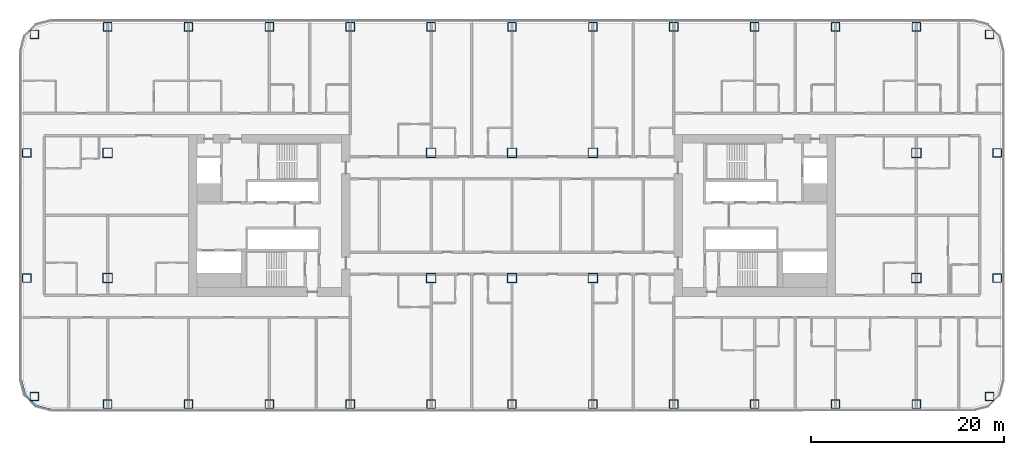
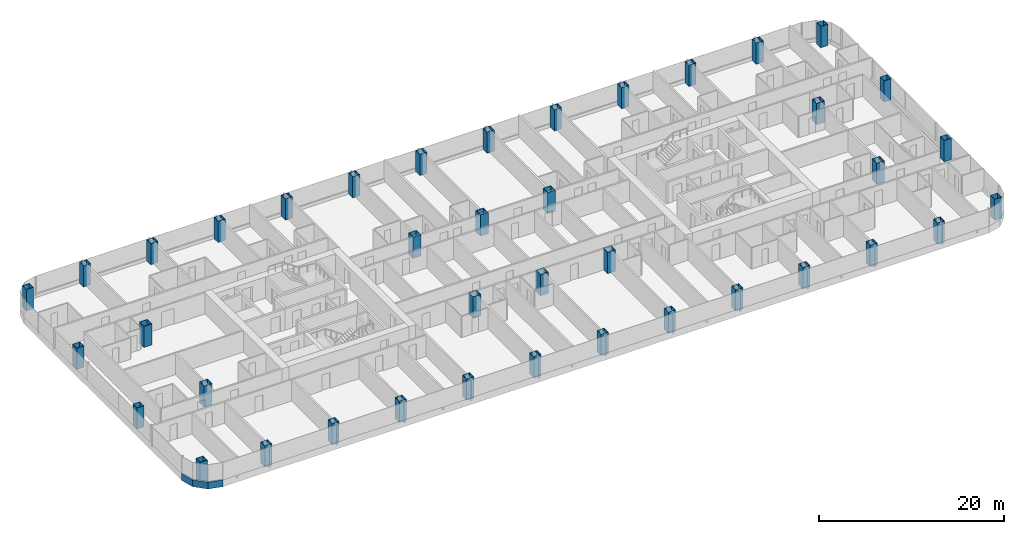
# One storey, part 1 of 28: 40 columns, 1 member, 1 element without a shape of its own.
"""IFC4 building model written with IfcOpenShell, lengths in metres."""

from ifc_helpers import new_model, si_unit, direction, frame, origin, origin_2d, place, context, subcontext, project, spatial, polyline, rectangle, hollow_rectangle, outline, extrude, material, layer, layer_set, material_profile, profile_set, type_object, element, aggregate, save


model = new_model("IFC4")

# Units and contexts
model_context = context("Model", 3, precision=1e-05, world=origin(), true_north=direction((0.0, 1.0)))
body_context = subcontext(model_context, "Body", "Model", "MODEL_VIEW")
ifc_project = project(units=[si_unit("LENGTHUNIT", "METRE"), si_unit("AREAUNIT", "SQUARE_METRE"), si_unit("VOLUMEUNIT", "CUBIC_METRE"), si_unit("PLANEANGLEUNIT", "RADIAN"), si_unit("MASSUNIT", "GRAM", prefix="KILO")], contexts=[model_context])

# Site, building, storey
site_placement = place(None, origin())
site = spatial("IfcSite", under=ifc_project, at=site_placement, CompositionType="ELEMENT")
building_placement = place(site_placement, origin())
building = spatial("IfcBuilding", under=site, at=building_placement, Name="Hakoniwa Tower and Hamabe Station Hall", CompositionType="ELEMENT")
storey_placement = place(building_placement, frame((0.0, 0.0, 58.199951171875)))
storey = spatial("IfcBuildingStorey", under=building, at=storey_placement, Name="L16", CompositionType="ELEMENT", Elevation=58.199951171875)

# Columns
ifc_material_1 = material(Name="Steel SN490C", Category="steel")
ifc_material_profile_1 = material_profile(ifc_material_1, hollow_rectangle(XDim=1.0, YDim=1.0, WallThickness=0.0400390625, at=origin_2d()), Name="BX-1000x1000x40")
ifc_profile_set_1 = profile_set([ifc_material_profile_1], Name="Steel SN490C")
column_type_1 = type_object("IfcColumnType", Name="COLUMN BX-1000x1000x40", PredefinedType="COLUMN", material=ifc_profile_set_1)
for number, where, z_axis, x_axis, name in (
    (1, (-42.0, -6.5, 0.0), (0.0, 0.0, 1.0), (1.0, 0.0, 0.0), "Column B1-2-C1"),
    (2, (-42.0, 6.5, 0.0), (0.0, 0.0, 1.0), (1.0, 0.0, 0.0), "Column B1-2-E1"),
    (3, (-8.39990234375, -6.5, 0.0), (0.0, 0.0, 1.0), (1.0, 0.0, 0.0), "Column B1-6-C1"),
    (4, (-8.39990234375, 6.5, 0.0), (0.0, 0.0, 1.0), (1.0, 0.0, 0.0), "Column B1-6-E1"),
    (5, (0.0, -6.5, 0.0), (0.0, 0.0, 1.0), (1.0, 0.0, 0.0), "Column B1-7-C1"),
    (6, (0.0, 6.5, 0.0), (0.0, 0.0, 1.0), (1.0, 0.0, 0.0), "Column B1-7-E1"),
    (7, (8.39990234375, -6.5, 0.0), (0.0, 0.0, 1.0), (1.0, 0.0, 0.0), "Column B1-8-C1"),
    (8, (8.39990234375, 6.5, 0.0), (0.0, 0.0, 1.0), (1.0, 0.0, 0.0), "Column B1-8-E1"),
    (9, (42.0, -6.5, 0.0), (0.0, 0.0, 1.0), (1.0, 0.0, 0.0), "Column B1-12-C1"),
    (10, (42.0, 6.5, 0.0), (0.0, 0.0, 1.0), (1.0, 0.0, 0.0), "Column B1-12-E1"),
):
    element("IfcColumn", number, at=place(storey_placement, frame(where, z_axis=z_axis, x_axis=x_axis)), inside=storey, type_object=column_type_1, Name=name, PredefinedType="COLUMN", context=body_context, shape_type="SweptSolid", body=[
        extrude(hollow_rectangle(XDim=1.0, YDim=1.0, WallThickness=0.0400390625, at=origin_2d()), origin(), (0.0, 0.0, 1.0), 2.800048828125),
    ])
ifc_material_2 = material(Name="Steel SN490C", Category="steel")
ifc_material_profile_2 = material_profile(ifc_material_2, hollow_rectangle(XDim=0.89990234375, YDim=0.89990234375, WallThickness=0.035888671875, at=origin_2d()), Name="BX-900x900x36")
ifc_profile_set_2 = profile_set([ifc_material_profile_2], Name="Steel SN490C")
column_type_2 = type_object("IfcColumnType", Name="COLUMN BX-900x900x36", PredefinedType="COLUMN", material=ifc_profile_set_2)
for number, where, z_axis, x_axis, name in (
    (11, (-49.60302734375, -18.802978515625, 0.0), (0.0, 0.0, 1.0), (1.0, 0.0, 0.0), "Column B1-1-A1"),
    (12, (-50.39990234375, -6.5, 0.0), (0.0, 0.0, 1.0), (1.0, 0.0, 0.0), "Column B1-1-C1"),
    (13, (-50.39990234375, 6.5, 0.0), (0.0, 0.0, 1.0), (1.0, 0.0, 0.0), "Column B1-1-E1"),
    (14, (-49.60302734375, 18.802978515625, 0.0), (0.0, 0.0, 1.0), (1.0, 0.0, 0.0), "Column B1-1-G1"),
    (15, (-42.0, -19.60009765625, 0.0), (0.0, 0.0, 1.0), (1.0, 0.0, 0.0), "Column B1-2-A1"),
    (16, (-42.0, 19.60009765625, 0.0), (0.0, 0.0, 1.0), (1.0, 0.0, 0.0), "Column B1-2-G1"),
    (17, (-33.60009765625, -19.60009765625, 0.0), (0.0, 0.0, 1.0), (1.0, 0.0, 0.0), "Column B1-3-A1"),
    (18, (-33.60009765625, 19.60009765625, 0.0), (0.0, 0.0, 1.0), (1.0, 0.0, 0.0), "Column B1-3-G1"),
    (19, (-25.199951171875, -19.60009765625, 0.0), (0.0, 0.0, 1.0), (1.0, 0.0, 0.0), "Column B1-4-A1"),
    (20, (-25.199951171875, 19.60009765625, 0.0), (0.0, 0.0, 1.0), (1.0, 0.0, 0.0), "Column B1-4-G1"),
    (21, (-16.800048828125, -19.60009765625, 0.0), (0.0, 0.0, 1.0), (1.0, 0.0, 0.0), "Column B1-5-A1"),
    (22, (-16.800048828125, 19.60009765625, 0.0), (0.0, 0.0, 1.0), (1.0, 0.0, 0.0), "Column B1-5-G1"),
    (23, (-8.39990234375, -19.60009765625, 0.0), (0.0, 0.0, 1.0), (1.0, 0.0, 0.0), "Column B1-6-A1"),
    (24, (-8.39990234375, 19.60009765625, 0.0), (0.0, 0.0, 1.0), (1.0, 0.0, 0.0), "Column B1-6-G1"),
    (25, (0.0, -19.60009765625, 0.0), (0.0, 0.0, 1.0), (1.0, 0.0, 0.0), "Column B1-7-A1"),
    (26, (0.0, 19.60009765625, 0.0), (0.0, 0.0, 1.0), (1.0, 0.0, 0.0), "Column B1-7-G1"),
    (27, (8.39990234375, -19.60009765625, 0.0), (0.0, 0.0, 1.0), (1.0, 0.0, 0.0), "Column B1-8-A1"),
    (28, (8.39990234375, 19.60009765625, 0.0), (0.0, 0.0, 1.0), (1.0, 0.0, 0.0), "Column B1-8-G1"),
    (29, (16.800048828125, -19.60009765625, 0.0), (0.0, 0.0, 1.0), (1.0, 0.0, 0.0), "Column B1-9-A1"),
    (30, (16.800048828125, 19.60009765625, 0.0), (0.0, 0.0, 1.0), (1.0, 0.0, 0.0), "Column B1-9-G1"),
    (31, (25.199951171875, -19.60009765625, 0.0), (0.0, 0.0, 1.0), (1.0, 0.0, 0.0), "Column B1-10-A1"),
    (32, (25.199951171875, 19.60009765625, 0.0), (0.0, 0.0, 1.0), (1.0, 0.0, 0.0), "Column B1-10-G1"),
    (33, (33.60009765625, -19.60009765625, 0.0), (0.0, 0.0, 1.0), (1.0, 0.0, 0.0), "Column B1-11-A1"),
    (34, (33.60009765625, 19.60009765625, 0.0), (0.0, 0.0, 1.0), (1.0, 0.0, 0.0), "Column B1-11-G1"),
    (35, (42.0, -19.60009765625, 0.0), (0.0, 0.0, 1.0), (1.0, 0.0, 0.0), "Column B1-12-A1"),
    (36, (42.0, 19.60009765625, 0.0), (0.0, 0.0, 1.0), (1.0, 0.0, 0.0), "Column B1-12-G1"),
    (37, (49.60302734375, -18.802978515625, 0.0), (0.0, 0.0, 1.0), (1.0, 0.0, 0.0), "Column B1-13-A1"),
    (38, (50.39990234375, -6.5, 0.0), (0.0, 0.0, 1.0), (1.0, 0.0, 0.0), "Column B1-13-C1"),
    (39, (50.39990234375, 6.5, 0.0), (0.0, 0.0, 1.0), (1.0, 0.0, 0.0), "Column B1-13-E1"),
    (40, (49.60302734375, 18.802978515625, 0.0), (0.0, 0.0, 1.0), (1.0, 0.0, 0.0), "Column B1-13-G1"),
):
    element("IfcColumn", number, at=place(storey_placement, frame(where, z_axis=z_axis, x_axis=x_axis)), inside=storey, type_object=column_type_2, Name=name, PredefinedType="COLUMN", context=body_context, shape_type="SweptSolid", body=[
        extrude(hollow_rectangle(XDim=0.89990234375, YDim=0.89990234375, WallThickness=0.035888671875, at=origin_2d()), origin(), (0.0, 0.0, 1.0), 2.800048828125),
    ])

# Curtain wall, member
ifc_material_3 = material(Name="Dark low-e laminated glass", Category="glass")
ifc_layer = layer(ifc_material_3, 0.199951171875)
ifc_layer_set = layer_set([ifc_layer], Name="CW-1 UNITISED GUEST")
curtain_wall_type = type_object("IfcCurtainWallType", Name="CW-1 UNITISED GUEST", PredefinedType="NOTDEFINED", material=ifc_layer_set)
curtain_wall_placement = place(storey_placement, origin())
curtain_wall = element("IfcCurtainWall", 41, at=curtain_wall_placement, inside=storey, type_object=curtain_wall_type, Name="CW-1 curtain wall", PredefinedType="NOTDEFINED")
ifc_material_4 = material(Name="Aluminium 6063-T5 black anodised", Category="aluminium")
ifc_material_profile_3 = material_profile(ifc_material_4, rectangle(XDim=0.199951171875, YDim=0.89990234375, at=origin_2d()), Name="CW SLAB-EDGE BAND 900X200")
ifc_profile_set_3 = profile_set([ifc_material_profile_3], Name="Aluminium 6063-T5 black anodised")
member_type = type_object("IfcMemberType", Name="CW SLAB-EDGE BAND 900X200", PredefinedType="USERDEFINED", material=ifc_profile_set_3)
member_placement = place(storey_placement, frame((0.0, 0.0, -0.550048828125)))
member = element("IfcMember", 42, at=member_placement, type_object=member_type, Name="CW-1 transom", ObjectType="TRANSOM", PredefinedType="USERDEFINED", context=body_context, shape_type="SweptSolid", body=[
    extrude(outline(polyline([(-51.10009765625, -17.03955078125), (-50.6669921875, -18.6552734375), (-49.455322265625, -19.866943359375), (-47.839599609375, -20.300048828125), (-47.787841796875, -20.10693359375), (-49.351806640625, -19.687744140625), (-50.48779296875, -18.5517578125), (-50.90673828125, -16.98779296875), (-51.10009765625, -17.03955078125)])), origin(), (0.0, 0.0, 1.0), 0.900146484375),
])
aggregate(curtain_wall, [member])

save(model, "model.ifc")
